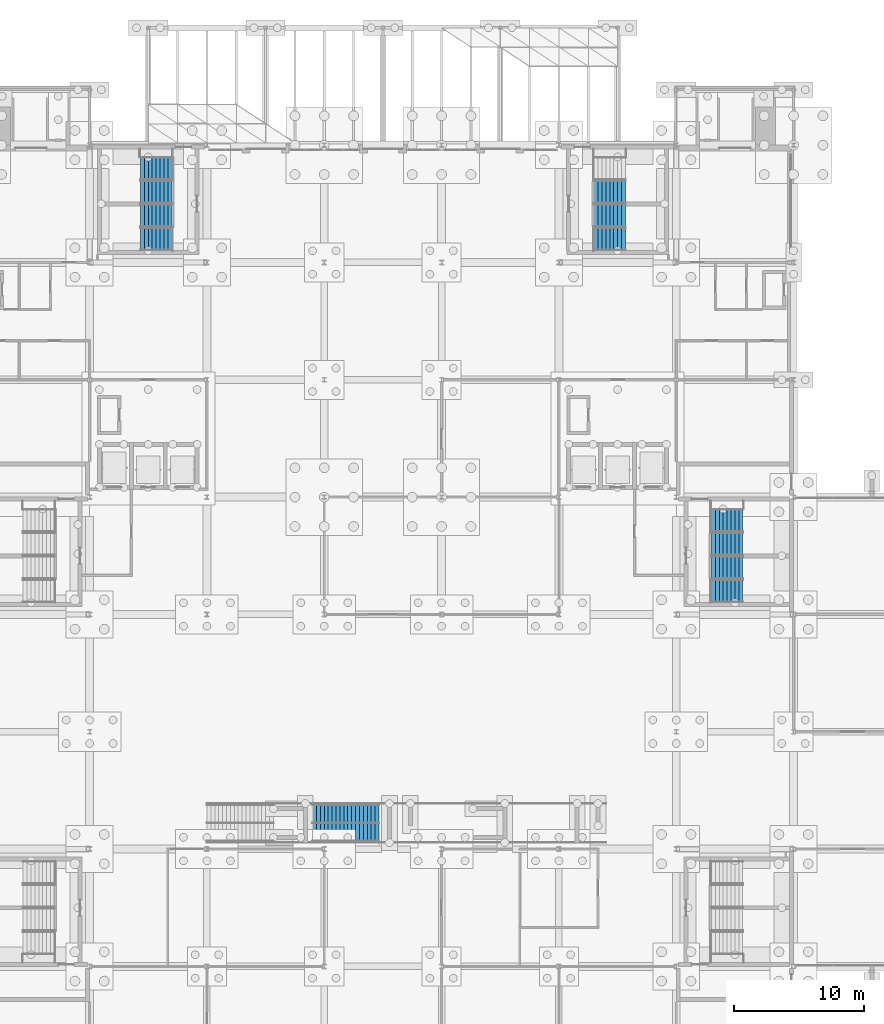
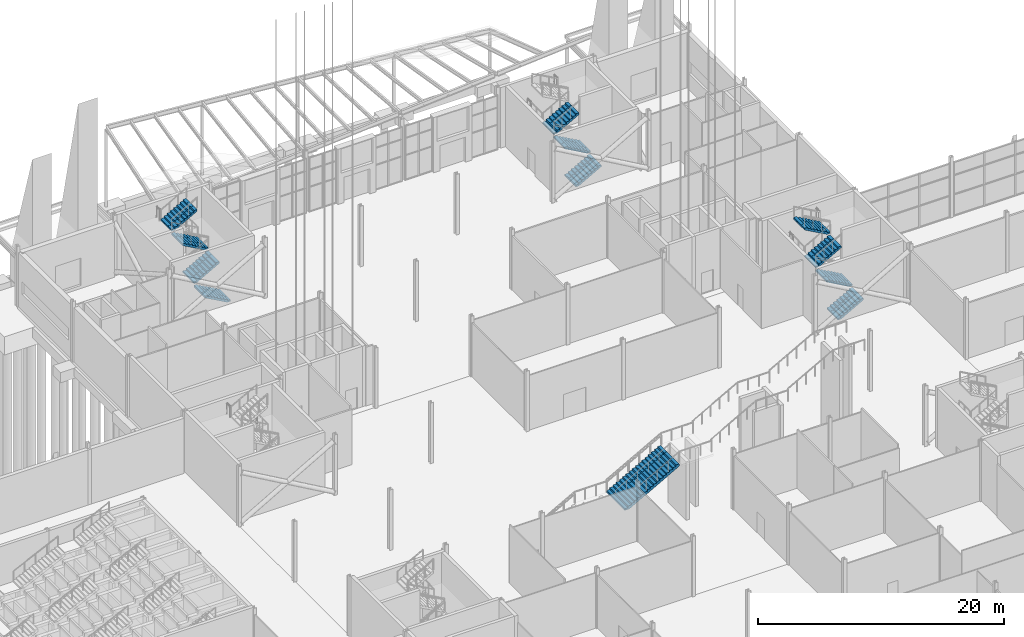
# One storey, part 118 of 139: 12 stair flights, 4 elements without a shape of their own.
"""IFC4 building model written with IfcOpenShell, lengths in metres."""

from ifc_helpers import new_model, si_unit, direction, frame, origin, place, context, subcontext, project, spatial, polyline, outline, extrude, material, type_object, element, aggregate, save


model = new_model("IFC4")

# Units and contexts
model_context = context("Model", 3, precision=1e-05, world=origin(), true_north=direction((0.0, 1.0)))
body_context = subcontext(model_context, "Body", "Model", "MODEL_VIEW")
ifc_project = project(units=[si_unit("LENGTHUNIT", "METRE"), si_unit("AREAUNIT", "SQUARE_METRE"), si_unit("VOLUMEUNIT", "CUBIC_METRE"), si_unit("PLANEANGLEUNIT", "RADIAN"), si_unit("MASSUNIT", "GRAM", prefix="KILO")], contexts=[model_context])

# Site, building, storey
site_placement = place(None, origin())
site = spatial("IfcSite", under=ifc_project, at=site_placement, CompositionType="ELEMENT")
building_placement = place(site_placement, origin())
building = spatial("IfcBuilding", under=site, at=building_placement, Name="Shorebreak Coast Museum", CompositionType="ELEMENT")
storey_placement = place(building_placement, origin())
storey = spatial("IfcBuildingStorey", under=building, at=storey_placement, Name="L00", CompositionType="ELEMENT", Elevation=0.0)

# Stair, stair flight
ifc_material_1 = material(Name="Concrete N40 (40 MPa)", Category="concrete")
stair_type_1 = type_object("IfcStairType", Name="Feature stair run 6 m", PredefinedType="TWO_STRAIGHT_RUN_STAIR", material=ifc_material_1)
stair_1_placement = place(storey_placement, origin())
stair_1 = element("IfcStair", 1, at=stair_1_placement, inside=storey, type_object=stair_type_1, Name="Feature stair FS-L00", PredefinedType="TWO_STRAIGHT_RUN_STAIR")
ifc_material_2 = material(Name="Concrete N40 (40 MPa)", Category="concrete")
stair_flight_type_1 = type_object("IfcStairFlightType", Name="Feature stair flight 18 risers", PredefinedType="STRAIGHT", material=ifc_material_2)
stair_flight_1_placement = place(storey_placement, frame((80.10009765625, 65.0, 3.0), z_axis=(0.0, 0.0, 1.0), x_axis=(1.0, 0.0, 0.0)))
stair_flight_1 = element("IfcStairFlight", 2, at=stair_flight_1_placement, type_object=stair_flight_type_1, Name="FS-L00 flight 2", NumberOfRisers=18, NumberOfTreads=17, PredefinedType="STRAIGHT", RiserHeight=0.166666667, TreadLength=0.3, context=body_context, shape_type="SweptSolid", body=[
    extrude(outline(polyline([(0.0, 0.0), (0.0, 0.166748046875), (0.300048828125, 0.166748046875), (0.300048828125, 0.333251953125), (0.60009765625, 0.333251953125), (0.60009765625, 0.5), (0.89990234375, 0.5), (0.89990234375, 0.666748046875), (1.199951171875, 0.666748046875), (1.199951171875, 0.833251953125), (1.5, 0.833251953125), (1.5, 1.0), (1.800048828125, 1.0), (1.800048828125, 1.166748046875), (2.10009765625, 1.166748046875), (2.10009765625, 1.333251953125), (2.39990234375, 1.333251953125), (2.39990234375, 1.5), (2.699951171875, 1.5), (2.699951171875, 1.666748046875), (3.0, 1.666748046875), (3.0, 1.833251953125), (3.300048828125, 1.833251953125), (3.300048828125, 2.0), (3.60009765625, 2.0), (3.60009765625, 2.166748046875), (3.89990234375, 2.166748046875), (3.89990234375, 2.333251953125), (4.199951171875, 2.333251953125), (4.199951171875, 2.5), (4.5, 2.5), (4.5, 2.666748046875), (4.800048828125, 2.666748046875), (4.800048828125, 2.833251953125), (5.10009765625, 2.833251953125), (5.10009765625, 3.0), (5.10009765625, 2.6044921875), (0.41162109375, 0.0), (0.0, 0.0)])), frame((0.0, 1.5, 0.0), z_axis=(0.0, -1.0, 0.0), x_axis=(1.0, 0.0, 0.0)), (0.0, 0.0, 1.0), 0.993408203125),
    extrude(outline(polyline([(0.0, 0.0), (0.0, 0.166748046875), (0.300048828125, 0.166748046875), (0.300048828125, 0.333251953125), (0.60009765625, 0.333251953125), (0.60009765625, 0.5), (0.89990234375, 0.5), (0.89990234375, 0.666748046875), (1.199951171875, 0.666748046875), (1.199951171875, 0.833251953125), (1.5, 0.833251953125), (1.5, 1.0), (1.800048828125, 1.0), (1.800048828125, 1.166748046875), (2.10009765625, 1.166748046875), (2.10009765625, 1.333251953125), (2.39990234375, 1.333251953125), (2.39990234375, 1.5), (2.699951171875, 1.5), (2.699951171875, 1.666748046875), (3.0, 1.666748046875), (3.0, 1.833251953125), (3.300048828125, 1.833251953125), (3.300048828125, 2.0), (3.60009765625, 2.0), (3.60009765625, 2.166748046875), (3.89990234375, 2.166748046875), (3.89990234375, 2.333251953125), (4.199951171875, 2.333251953125), (4.199951171875, 2.5), (4.5, 2.5), (4.5, 2.666748046875), (4.800048828125, 2.666748046875), (4.800048828125, 2.833251953125), (5.10009765625, 2.833251953125), (5.10009765625, 3.0), (5.10009765625, 2.6044921875), (0.41162109375, 0.0), (0.0, 0.0)])), frame((0.0, 0.49658203125, 0.0), z_axis=(0.0, -1.0, 0.0), x_axis=(1.0, 0.0, 0.0)), (0.0, 0.0, 1.0), 0.993408203125),
    extrude(outline(polyline([(0.0, 0.0), (0.0, 0.166748046875), (0.300048828125, 0.166748046875), (0.300048828125, 0.333251953125), (0.60009765625, 0.333251953125), (0.60009765625, 0.5), (0.89990234375, 0.5), (0.89990234375, 0.666748046875), (1.199951171875, 0.666748046875), (1.199951171875, 0.833251953125), (1.5, 0.833251953125), (1.5, 1.0), (1.800048828125, 1.0), (1.800048828125, 1.166748046875), (2.10009765625, 1.166748046875), (2.10009765625, 1.333251953125), (2.39990234375, 1.333251953125), (2.39990234375, 1.5), (2.699951171875, 1.5), (2.699951171875, 1.666748046875), (3.0, 1.666748046875), (3.0, 1.833251953125), (3.300048828125, 1.833251953125), (3.300048828125, 2.0), (3.60009765625, 2.0), (3.60009765625, 2.166748046875), (3.89990234375, 2.166748046875), (3.89990234375, 2.333251953125), (4.199951171875, 2.333251953125), (4.199951171875, 2.5), (4.5, 2.5), (4.5, 2.666748046875), (4.800048828125, 2.666748046875), (4.800048828125, 2.833251953125), (5.10009765625, 2.833251953125), (5.10009765625, 3.0), (5.10009765625, 2.6044921875), (0.41162109375, 0.0), (0.0, 0.0)])), frame((0.0, -0.506591796875, 0.0), z_axis=(0.0, -1.0, 0.0), x_axis=(1.0, 0.0, 0.0)), (0.0, 0.0, 1.0), 0.993408203125),
])
aggregate(stair_1, [stair_flight_1])

# Stair, stair flights
ifc_material_3 = material(Name="Concrete N40 (40 MPa)", Category="concrete")
stair_type_2 = type_object("IfcStairType", Name="Stair run 6 m", PredefinedType="DOUBLE_RETURN_STAIR", material=ifc_material_3)
stair_2_placement = place(storey_placement, origin())
stair_2 = element("IfcStair", 3, at=stair_2_placement, inside=storey, type_object=stair_type_2, Name="Exit stair ST04-L00", PredefinedType="DOUBLE_RETURN_STAIR")
ifc_material_4 = material(Name="Concrete N40 (40 MPa)", Category="concrete")
stair_flight_type_2 = type_object("IfcStairFlightType", Name="Stair flight 9 risers 166.67", PredefinedType="STRAIGHT", material=ifc_material_4)
stair_flight_2_placement = place(storey_placement, frame((110.699951171875, 82.800048828125, 0.0), z_axis=(0.0, 0.0, 1.0), x_axis=(1.0, 0.0, 0.0)))
stair_flight_2 = element("IfcStairFlight", 4, at=stair_flight_2_placement, type_object=stair_flight_type_2, Name="ST04-L00 flight 1", NumberOfRisers=9, NumberOfTreads=8, PredefinedType="STRAIGHT", RiserHeight=0.166666667, TreadLength=0.3, context=body_context, shape_type="SweptSolid", body=[
    extrude(outline(polyline([(0.0, 0.0), (0.0, 0.166748046875), (0.300048828125, 0.166748046875), (0.300048828125, 0.333251953125), (0.60009765625, 0.333251953125), (0.60009765625, 0.5), (0.89990234375, 0.5), (0.89990234375, 0.666748046875), (1.199951171875, 0.666748046875), (1.199951171875, 0.833251953125), (1.5, 0.833251953125), (1.5, 1.0), (1.800048828125, 1.0), (1.800048828125, 1.166748046875), (2.10009765625, 1.166748046875), (2.10009765625, 1.333251953125), (2.39990234375, 1.333251953125), (2.39990234375, 1.5), (2.39990234375, 1.161865234375), (0.30859375, 0.0), (0.0, 0.0)])), frame((0.0, 0.89990234375, 0.0), z_axis=(0.0, -1.0, 0.0), x_axis=(1.0, 0.0, 0.0)), (0.0, 0.0, 1.0), 0.59326171875),
    extrude(outline(polyline([(0.0, 0.0), (0.0, 0.166748046875), (0.300048828125, 0.166748046875), (0.300048828125, 0.333251953125), (0.60009765625, 0.333251953125), (0.60009765625, 0.5), (0.89990234375, 0.5), (0.89990234375, 0.666748046875), (1.199951171875, 0.666748046875), (1.199951171875, 0.833251953125), (1.5, 0.833251953125), (1.5, 1.0), (1.800048828125, 1.0), (1.800048828125, 1.166748046875), (2.10009765625, 1.166748046875), (2.10009765625, 1.333251953125), (2.39990234375, 1.333251953125), (2.39990234375, 1.5), (2.39990234375, 1.161865234375), (0.30859375, 0.0), (0.0, 0.0)])), frame((0.0, 0.296630859375, 0.0), z_axis=(0.0, -1.0, 0.0), x_axis=(1.0, 0.0, 0.0)), (0.0, 0.0, 1.0), 0.59326171875),
    extrude(outline(polyline([(0.0, 0.0), (0.0, 0.166748046875), (0.300048828125, 0.166748046875), (0.300048828125, 0.333251953125), (0.60009765625, 0.333251953125), (0.60009765625, 0.5), (0.89990234375, 0.5), (0.89990234375, 0.666748046875), (1.199951171875, 0.666748046875), (1.199951171875, 0.833251953125), (1.5, 0.833251953125), (1.5, 1.0), (1.800048828125, 1.0), (1.800048828125, 1.166748046875), (2.10009765625, 1.166748046875), (2.10009765625, 1.333251953125), (2.39990234375, 1.333251953125), (2.39990234375, 1.5), (2.39990234375, 1.161865234375), (0.30859375, 0.0), (0.0, 0.0)])), frame((0.0, -0.306640625, 0.0), z_axis=(0.0, -1.0, 0.0), x_axis=(1.0, 0.0, 0.0)), (0.0, 0.0, 1.0), 0.59326171875),
])
stair_flight_3_placement = place(storey_placement, frame((113.10009765625, 84.60009765625, 1.5), z_axis=(0.0, 0.0, 1.0), x_axis=(-1.0, 0.0, 0.0)))
stair_flight_3 = element("IfcStairFlight", 5, at=stair_flight_3_placement, type_object=stair_flight_type_2, Name="ST04-L00 flight 2", NumberOfRisers=9, NumberOfTreads=8, PredefinedType="STRAIGHT", RiserHeight=0.166666667, TreadLength=0.3, context=body_context, shape_type="SweptSolid", body=[
    extrude(outline(polyline([(0.0, 0.0), (0.0, 0.166748046875), (0.300048828125, 0.166748046875), (0.300048828125, 0.333251953125), (0.60009765625, 0.333251953125), (0.60009765625, 0.5), (0.89990234375, 0.5), (0.89990234375, 0.666748046875), (1.199951171875, 0.666748046875), (1.199951171875, 0.833251953125), (1.5, 0.833251953125), (1.5, 1.0), (1.800048828125, 1.0), (1.800048828125, 1.166748046875), (2.10009765625, 1.166748046875), (2.10009765625, 1.333251953125), (2.39990234375, 1.333251953125), (2.39990234375, 1.5), (2.39990234375, 1.161865234375), (0.30859375, 0.0), (0.0, 0.0)])), frame((0.0, 0.89990234375, 0.0), z_axis=(0.0, -1.0, 0.0), x_axis=(1.0, 0.0, 0.0)), (0.0, 0.0, 1.0), 0.59326171875),
    extrude(outline(polyline([(0.0, 0.0), (0.0, 0.166748046875), (0.300048828125, 0.166748046875), (0.300048828125, 0.333251953125), (0.60009765625, 0.333251953125), (0.60009765625, 0.5), (0.89990234375, 0.5), (0.89990234375, 0.666748046875), (1.199951171875, 0.666748046875), (1.199951171875, 0.833251953125), (1.5, 0.833251953125), (1.5, 1.0), (1.800048828125, 1.0), (1.800048828125, 1.166748046875), (2.10009765625, 1.166748046875), (2.10009765625, 1.333251953125), (2.39990234375, 1.333251953125), (2.39990234375, 1.5), (2.39990234375, 1.161865234375), (0.30859375, 0.0), (0.0, 0.0)])), frame((0.0, 0.296630859375, 0.0), z_axis=(0.0, -1.0, 0.0), x_axis=(1.0, 0.0, 0.0)), (0.0, 0.0, 1.0), 0.59326171875),
    extrude(outline(polyline([(0.0, 0.0), (0.0, 0.166748046875), (0.300048828125, 0.166748046875), (0.300048828125, 0.333251953125), (0.60009765625, 0.333251953125), (0.60009765625, 0.5), (0.89990234375, 0.5), (0.89990234375, 0.666748046875), (1.199951171875, 0.666748046875), (1.199951171875, 0.833251953125), (1.5, 0.833251953125), (1.5, 1.0), (1.800048828125, 1.0), (1.800048828125, 1.166748046875), (2.10009765625, 1.166748046875), (2.10009765625, 1.333251953125), (2.39990234375, 1.333251953125), (2.39990234375, 1.5), (2.39990234375, 1.161865234375), (0.30859375, 0.0), (0.0, 0.0)])), frame((0.0, -0.306640625, 0.0), z_axis=(0.0, -1.0, 0.0), x_axis=(1.0, 0.0, 0.0)), (0.0, 0.0, 1.0), 0.59326171875),
])
stair_flight_4_placement = place(storey_placement, frame((110.699951171875, 86.39990234375, 3.0), z_axis=(0.0, 0.0, 1.0), x_axis=(1.0, 0.0, 0.0)))
stair_flight_4 = element("IfcStairFlight", 6, at=stair_flight_4_placement, type_object=stair_flight_type_2, Name="ST04-L00 flight 3", NumberOfRisers=9, NumberOfTreads=8, PredefinedType="STRAIGHT", RiserHeight=0.166666667, TreadLength=0.3, context=body_context, shape_type="SweptSolid", body=[
    extrude(outline(polyline([(0.0, 0.0), (0.0, 0.166748046875), (0.300048828125, 0.166748046875), (0.300048828125, 0.333251953125), (0.60009765625, 0.333251953125), (0.60009765625, 0.5), (0.89990234375, 0.5), (0.89990234375, 0.666748046875), (1.199951171875, 0.666748046875), (1.199951171875, 0.833251953125), (1.5, 0.833251953125), (1.5, 1.0), (1.800048828125, 1.0), (1.800048828125, 1.166748046875), (2.10009765625, 1.166748046875), (2.10009765625, 1.333251953125), (2.39990234375, 1.333251953125), (2.39990234375, 1.5), (2.39990234375, 1.161865234375), (0.30859375, 0.0), (0.0, 0.0)])), frame((0.0, 0.89990234375, 0.0), z_axis=(0.0, -1.0, 0.0), x_axis=(1.0, 0.0, 0.0)), (0.0, 0.0, 1.0), 0.59326171875),
    extrude(outline(polyline([(0.0, 0.0), (0.0, 0.166748046875), (0.300048828125, 0.166748046875), (0.300048828125, 0.333251953125), (0.60009765625, 0.333251953125), (0.60009765625, 0.5), (0.89990234375, 0.5), (0.89990234375, 0.666748046875), (1.199951171875, 0.666748046875), (1.199951171875, 0.833251953125), (1.5, 0.833251953125), (1.5, 1.0), (1.800048828125, 1.0), (1.800048828125, 1.166748046875), (2.10009765625, 1.166748046875), (2.10009765625, 1.333251953125), (2.39990234375, 1.333251953125), (2.39990234375, 1.5), (2.39990234375, 1.161865234375), (0.30859375, 0.0), (0.0, 0.0)])), frame((0.0, 0.296630859375, 0.0), z_axis=(0.0, -1.0, 0.0), x_axis=(1.0, 0.0, 0.0)), (0.0, 0.0, 1.0), 0.59326171875),
    extrude(outline(polyline([(0.0, 0.0), (0.0, 0.166748046875), (0.300048828125, 0.166748046875), (0.300048828125, 0.333251953125), (0.60009765625, 0.333251953125), (0.60009765625, 0.5), (0.89990234375, 0.5), (0.89990234375, 0.666748046875), (1.199951171875, 0.666748046875), (1.199951171875, 0.833251953125), (1.5, 0.833251953125), (1.5, 1.0), (1.800048828125, 1.0), (1.800048828125, 1.166748046875), (2.10009765625, 1.166748046875), (2.10009765625, 1.333251953125), (2.39990234375, 1.333251953125), (2.39990234375, 1.5), (2.39990234375, 1.161865234375), (0.30859375, 0.0), (0.0, 0.0)])), frame((0.0, -0.306640625, 0.0), z_axis=(0.0, -1.0, 0.0), x_axis=(1.0, 0.0, 0.0)), (0.0, 0.0, 1.0), 0.59326171875),
])
stair_flight_5_placement = place(storey_placement, frame((113.10009765625, 88.199951171875, 4.5), z_axis=(0.0, 0.0, 1.0), x_axis=(-1.0, 0.0, 0.0)))
stair_flight_5 = element("IfcStairFlight", 7, at=stair_flight_5_placement, type_object=stair_flight_type_2, Name="ST04-L00 flight 4", NumberOfRisers=9, NumberOfTreads=8, PredefinedType="STRAIGHT", RiserHeight=0.166666667, TreadLength=0.3, context=body_context, shape_type="SweptSolid", body=[
    extrude(outline(polyline([(0.0, 0.0), (0.0, 0.166748046875), (0.300048828125, 0.166748046875), (0.300048828125, 0.333251953125), (0.60009765625, 0.333251953125), (0.60009765625, 0.5), (0.89990234375, 0.5), (0.89990234375, 0.666748046875), (1.199951171875, 0.666748046875), (1.199951171875, 0.833251953125), (1.5, 0.833251953125), (1.5, 1.0), (1.800048828125, 1.0), (1.800048828125, 1.166748046875), (2.10009765625, 1.166748046875), (2.10009765625, 1.333251953125), (2.39990234375, 1.333251953125), (2.39990234375, 1.5), (2.39990234375, 1.161865234375), (0.30859375, 0.0), (0.0, 0.0)])), frame((0.0, 0.89990234375, 0.0), z_axis=(0.0, -1.0, 0.0), x_axis=(1.0, 0.0, 0.0)), (0.0, 0.0, 1.0), 0.59326171875),
    extrude(outline(polyline([(0.0, 0.0), (0.0, 0.166748046875), (0.300048828125, 0.166748046875), (0.300048828125, 0.333251953125), (0.60009765625, 0.333251953125), (0.60009765625, 0.5), (0.89990234375, 0.5), (0.89990234375, 0.666748046875), (1.199951171875, 0.666748046875), (1.199951171875, 0.833251953125), (1.5, 0.833251953125), (1.5, 1.0), (1.800048828125, 1.0), (1.800048828125, 1.166748046875), (2.10009765625, 1.166748046875), (2.10009765625, 1.333251953125), (2.39990234375, 1.333251953125), (2.39990234375, 1.5), (2.39990234375, 1.161865234375), (0.30859375, 0.0), (0.0, 0.0)])), frame((0.0, 0.296630859375, 0.0), z_axis=(0.0, -1.0, 0.0), x_axis=(1.0, 0.0, 0.0)), (0.0, 0.0, 1.0), 0.59326171875),
    extrude(outline(polyline([(0.0, 0.0), (0.0, 0.166748046875), (0.300048828125, 0.166748046875), (0.300048828125, 0.333251953125), (0.60009765625, 0.333251953125), (0.60009765625, 0.5), (0.89990234375, 0.5), (0.89990234375, 0.666748046875), (1.199951171875, 0.666748046875), (1.199951171875, 0.833251953125), (1.5, 0.833251953125), (1.5, 1.0), (1.800048828125, 1.0), (1.800048828125, 1.166748046875), (2.10009765625, 1.166748046875), (2.10009765625, 1.333251953125), (2.39990234375, 1.333251953125), (2.39990234375, 1.5), (2.39990234375, 1.161865234375), (0.30859375, 0.0), (0.0, 0.0)])), frame((0.0, -0.306640625, 0.0), z_axis=(0.0, -1.0, 0.0), x_axis=(1.0, 0.0, 0.0)), (0.0, 0.0, 1.0), 0.59326171875),
])
aggregate(stair_2, [stair_flight_2, stair_flight_3, stair_flight_4, stair_flight_5])

stair_3_placement = place(storey_placement, origin())
stair_3 = element("IfcStair", 8, at=stair_3_placement, inside=storey, type_object=stair_type_2, Name="Exit stair ST09-L00", PredefinedType="DOUBLE_RETURN_STAIR")
stair_flight_6_placement = place(storey_placement, frame((69.300048828125, 109.800048828125, 0.0), z_axis=(0.0, 0.0, 1.0), x_axis=(-1.0, 0.0, 0.0)))
stair_flight_6 = element("IfcStairFlight", 9, at=stair_flight_6_placement, type_object=stair_flight_type_2, Name="ST09-L00 flight 1", NumberOfRisers=9, NumberOfTreads=8, PredefinedType="STRAIGHT", RiserHeight=0.166666667, TreadLength=0.3, context=body_context, shape_type="SweptSolid", body=[
    extrude(outline(polyline([(0.0, 0.0), (0.0, 0.166748046875), (0.300048828125, 0.166748046875), (0.300048828125, 0.333251953125), (0.60009765625, 0.333251953125), (0.60009765625, 0.5), (0.89990234375, 0.5), (0.89990234375, 0.666748046875), (1.199951171875, 0.666748046875), (1.199951171875, 0.833251953125), (1.5, 0.833251953125), (1.5, 1.0), (1.800048828125, 1.0), (1.800048828125, 1.166748046875), (2.10009765625, 1.166748046875), (2.10009765625, 1.333251953125), (2.39990234375, 1.333251953125), (2.39990234375, 1.5), (2.39990234375, 1.161865234375), (0.30859375, 0.0), (0.0, 0.0)])), frame((0.0, 0.89990234375, 0.0), z_axis=(0.0, -1.0, 0.0), x_axis=(1.0, 0.0, 0.0)), (0.0, 0.0, 1.0), 0.59326171875),
    extrude(outline(polyline([(0.0, 0.0), (0.0, 0.166748046875), (0.300048828125, 0.166748046875), (0.300048828125, 0.333251953125), (0.60009765625, 0.333251953125), (0.60009765625, 0.5), (0.89990234375, 0.5), (0.89990234375, 0.666748046875), (1.199951171875, 0.666748046875), (1.199951171875, 0.833251953125), (1.5, 0.833251953125), (1.5, 1.0), (1.800048828125, 1.0), (1.800048828125, 1.166748046875), (2.10009765625, 1.166748046875), (2.10009765625, 1.333251953125), (2.39990234375, 1.333251953125), (2.39990234375, 1.5), (2.39990234375, 1.161865234375), (0.30859375, 0.0), (0.0, 0.0)])), frame((0.0, 0.296630859375, 0.0), z_axis=(0.0, -1.0, 0.0), x_axis=(1.0, 0.0, 0.0)), (0.0, 0.0, 1.0), 0.59326171875),
    extrude(outline(polyline([(0.0, 0.0), (0.0, 0.166748046875), (0.300048828125, 0.166748046875), (0.300048828125, 0.333251953125), (0.60009765625, 0.333251953125), (0.60009765625, 0.5), (0.89990234375, 0.5), (0.89990234375, 0.666748046875), (1.199951171875, 0.666748046875), (1.199951171875, 0.833251953125), (1.5, 0.833251953125), (1.5, 1.0), (1.800048828125, 1.0), (1.800048828125, 1.166748046875), (2.10009765625, 1.166748046875), (2.10009765625, 1.333251953125), (2.39990234375, 1.333251953125), (2.39990234375, 1.5), (2.39990234375, 1.161865234375), (0.30859375, 0.0), (0.0, 0.0)])), frame((0.0, -0.306640625, 0.0), z_axis=(0.0, -1.0, 0.0), x_axis=(1.0, 0.0, 0.0)), (0.0, 0.0, 1.0), 0.59326171875),
])
stair_flight_7_placement = place(storey_placement, frame((66.89990234375, 111.60009765625, 1.5), z_axis=(0.0, 0.0, 1.0), x_axis=(1.0, 0.0, 0.0)))
stair_flight_7 = element("IfcStairFlight", 10, at=stair_flight_7_placement, type_object=stair_flight_type_2, Name="ST09-L00 flight 2", NumberOfRisers=9, NumberOfTreads=8, PredefinedType="STRAIGHT", RiserHeight=0.166666667, TreadLength=0.3, context=body_context, shape_type="SweptSolid", body=[
    extrude(outline(polyline([(0.0, 0.0), (0.0, 0.166748046875), (0.300048828125, 0.166748046875), (0.300048828125, 0.333251953125), (0.60009765625, 0.333251953125), (0.60009765625, 0.5), (0.89990234375, 0.5), (0.89990234375, 0.666748046875), (1.199951171875, 0.666748046875), (1.199951171875, 0.833251953125), (1.5, 0.833251953125), (1.5, 1.0), (1.800048828125, 1.0), (1.800048828125, 1.166748046875), (2.10009765625, 1.166748046875), (2.10009765625, 1.333251953125), (2.39990234375, 1.333251953125), (2.39990234375, 1.5), (2.39990234375, 1.161865234375), (0.30859375, 0.0), (0.0, 0.0)])), frame((0.0, 0.89990234375, 0.0), z_axis=(0.0, -1.0, 0.0), x_axis=(1.0, 0.0, 0.0)), (0.0, 0.0, 1.0), 0.59326171875),
    extrude(outline(polyline([(0.0, 0.0), (0.0, 0.166748046875), (0.300048828125, 0.166748046875), (0.300048828125, 0.333251953125), (0.60009765625, 0.333251953125), (0.60009765625, 0.5), (0.89990234375, 0.5), (0.89990234375, 0.666748046875), (1.199951171875, 0.666748046875), (1.199951171875, 0.833251953125), (1.5, 0.833251953125), (1.5, 1.0), (1.800048828125, 1.0), (1.800048828125, 1.166748046875), (2.10009765625, 1.166748046875), (2.10009765625, 1.333251953125), (2.39990234375, 1.333251953125), (2.39990234375, 1.5), (2.39990234375, 1.161865234375), (0.30859375, 0.0), (0.0, 0.0)])), frame((0.0, 0.296630859375, 0.0), z_axis=(0.0, -1.0, 0.0), x_axis=(1.0, 0.0, 0.0)), (0.0, 0.0, 1.0), 0.59326171875),
    extrude(outline(polyline([(0.0, 0.0), (0.0, 0.166748046875), (0.300048828125, 0.166748046875), (0.300048828125, 0.333251953125), (0.60009765625, 0.333251953125), (0.60009765625, 0.5), (0.89990234375, 0.5), (0.89990234375, 0.666748046875), (1.199951171875, 0.666748046875), (1.199951171875, 0.833251953125), (1.5, 0.833251953125), (1.5, 1.0), (1.800048828125, 1.0), (1.800048828125, 1.166748046875), (2.10009765625, 1.166748046875), (2.10009765625, 1.333251953125), (2.39990234375, 1.333251953125), (2.39990234375, 1.5), (2.39990234375, 1.161865234375), (0.30859375, 0.0), (0.0, 0.0)])), frame((0.0, -0.306640625, 0.0), z_axis=(0.0, -1.0, 0.0), x_axis=(1.0, 0.0, 0.0)), (0.0, 0.0, 1.0), 0.59326171875),
])
stair_flight_8_placement = place(storey_placement, frame((69.300048828125, 113.39990234375, 3.0), z_axis=(0.0, 0.0, 1.0), x_axis=(-1.0, 0.0, 0.0)))
stair_flight_8 = element("IfcStairFlight", 11, at=stair_flight_8_placement, type_object=stair_flight_type_2, Name="ST09-L00 flight 3", NumberOfRisers=9, NumberOfTreads=8, PredefinedType="STRAIGHT", RiserHeight=0.166666667, TreadLength=0.3, context=body_context, shape_type="SweptSolid", body=[
    extrude(outline(polyline([(0.0, 0.0), (0.0, 0.166748046875), (0.300048828125, 0.166748046875), (0.300048828125, 0.333251953125), (0.60009765625, 0.333251953125), (0.60009765625, 0.5), (0.89990234375, 0.5), (0.89990234375, 0.666748046875), (1.199951171875, 0.666748046875), (1.199951171875, 0.833251953125), (1.5, 0.833251953125), (1.5, 1.0), (1.800048828125, 1.0), (1.800048828125, 1.166748046875), (2.10009765625, 1.166748046875), (2.10009765625, 1.333251953125), (2.39990234375, 1.333251953125), (2.39990234375, 1.5), (2.39990234375, 1.161865234375), (0.30859375, 0.0), (0.0, 0.0)])), frame((0.0, 0.89990234375, 0.0), z_axis=(0.0, -1.0, 0.0), x_axis=(1.0, 0.0, 0.0)), (0.0, 0.0, 1.0), 0.59326171875),
    extrude(outline(polyline([(0.0, 0.0), (0.0, 0.166748046875), (0.300048828125, 0.166748046875), (0.300048828125, 0.333251953125), (0.60009765625, 0.333251953125), (0.60009765625, 0.5), (0.89990234375, 0.5), (0.89990234375, 0.666748046875), (1.199951171875, 0.666748046875), (1.199951171875, 0.833251953125), (1.5, 0.833251953125), (1.5, 1.0), (1.800048828125, 1.0), (1.800048828125, 1.166748046875), (2.10009765625, 1.166748046875), (2.10009765625, 1.333251953125), (2.39990234375, 1.333251953125), (2.39990234375, 1.5), (2.39990234375, 1.161865234375), (0.30859375, 0.0), (0.0, 0.0)])), frame((0.0, 0.296630859375, 0.0), z_axis=(0.0, -1.0, 0.0), x_axis=(1.0, 0.0, 0.0)), (0.0, 0.0, 1.0), 0.59326171875),
    extrude(outline(polyline([(0.0, 0.0), (0.0, 0.166748046875), (0.300048828125, 0.166748046875), (0.300048828125, 0.333251953125), (0.60009765625, 0.333251953125), (0.60009765625, 0.5), (0.89990234375, 0.5), (0.89990234375, 0.666748046875), (1.199951171875, 0.666748046875), (1.199951171875, 0.833251953125), (1.5, 0.833251953125), (1.5, 1.0), (1.800048828125, 1.0), (1.800048828125, 1.166748046875), (2.10009765625, 1.166748046875), (2.10009765625, 1.333251953125), (2.39990234375, 1.333251953125), (2.39990234375, 1.5), (2.39990234375, 1.161865234375), (0.30859375, 0.0), (0.0, 0.0)])), frame((0.0, -0.306640625, 0.0), z_axis=(0.0, -1.0, 0.0), x_axis=(1.0, 0.0, 0.0)), (0.0, 0.0, 1.0), 0.59326171875),
])
stair_flight_9_placement = place(storey_placement, frame((66.89990234375, 115.199951171875, 4.5), z_axis=(0.0, 0.0, 1.0), x_axis=(1.0, 0.0, 0.0)))
stair_flight_9 = element("IfcStairFlight", 12, at=stair_flight_9_placement, type_object=stair_flight_type_2, Name="ST09-L00 flight 4", NumberOfRisers=9, NumberOfTreads=8, PredefinedType="STRAIGHT", RiserHeight=0.166666667, TreadLength=0.3, context=body_context, shape_type="SweptSolid", body=[
    extrude(outline(polyline([(0.0, 0.0), (0.0, 0.166748046875), (0.300048828125, 0.166748046875), (0.300048828125, 0.333251953125), (0.60009765625, 0.333251953125), (0.60009765625, 0.5), (0.89990234375, 0.5), (0.89990234375, 0.666748046875), (1.199951171875, 0.666748046875), (1.199951171875, 0.833251953125), (1.5, 0.833251953125), (1.5, 1.0), (1.800048828125, 1.0), (1.800048828125, 1.166748046875), (2.10009765625, 1.166748046875), (2.10009765625, 1.333251953125), (2.39990234375, 1.333251953125), (2.39990234375, 1.5), (2.39990234375, 1.161865234375), (0.30859375, 0.0), (0.0, 0.0)])), frame((0.0, 0.89990234375, 0.0), z_axis=(0.0, -1.0, 0.0), x_axis=(1.0, 0.0, 0.0)), (0.0, 0.0, 1.0), 0.59326171875),
    extrude(outline(polyline([(0.0, 0.0), (0.0, 0.166748046875), (0.300048828125, 0.166748046875), (0.300048828125, 0.333251953125), (0.60009765625, 0.333251953125), (0.60009765625, 0.5), (0.89990234375, 0.5), (0.89990234375, 0.666748046875), (1.199951171875, 0.666748046875), (1.199951171875, 0.833251953125), (1.5, 0.833251953125), (1.5, 1.0), (1.800048828125, 1.0), (1.800048828125, 1.166748046875), (2.10009765625, 1.166748046875), (2.10009765625, 1.333251953125), (2.39990234375, 1.333251953125), (2.39990234375, 1.5), (2.39990234375, 1.161865234375), (0.30859375, 0.0), (0.0, 0.0)])), frame((0.0, 0.296630859375, 0.0), z_axis=(0.0, -1.0, 0.0), x_axis=(1.0, 0.0, 0.0)), (0.0, 0.0, 1.0), 0.59326171875),
    extrude(outline(polyline([(0.0, 0.0), (0.0, 0.166748046875), (0.300048828125, 0.166748046875), (0.300048828125, 0.333251953125), (0.60009765625, 0.333251953125), (0.60009765625, 0.5), (0.89990234375, 0.5), (0.89990234375, 0.666748046875), (1.199951171875, 0.666748046875), (1.199951171875, 0.833251953125), (1.5, 0.833251953125), (1.5, 1.0), (1.800048828125, 1.0), (1.800048828125, 1.166748046875), (2.10009765625, 1.166748046875), (2.10009765625, 1.333251953125), (2.39990234375, 1.333251953125), (2.39990234375, 1.5), (2.39990234375, 1.161865234375), (0.30859375, 0.0), (0.0, 0.0)])), frame((0.0, -0.306640625, 0.0), z_axis=(0.0, -1.0, 0.0), x_axis=(1.0, 0.0, 0.0)), (0.0, 0.0, 1.0), 0.59326171875),
])
aggregate(stair_3, [stair_flight_6, stair_flight_7, stair_flight_8, stair_flight_9])

stair_4_placement = place(storey_placement, origin())
stair_4 = element("IfcStair", 13, at=stair_4_placement, inside=storey, type_object=stair_type_2, Name="Exit stair ST10-L00", PredefinedType="DOUBLE_RETURN_STAIR")
stair_flight_10_placement = place(storey_placement, frame((101.699951171875, 109.800048828125, 0.0), z_axis=(0.0, 0.0, 1.0), x_axis=(1.0, 0.0, 0.0)))
stair_flight_10 = element("IfcStairFlight", 14, at=stair_flight_10_placement, type_object=stair_flight_type_2, Name="ST10-L00 flight 1", NumberOfRisers=9, NumberOfTreads=8, PredefinedType="STRAIGHT", RiserHeight=0.166666667, TreadLength=0.3, context=body_context, shape_type="SweptSolid", body=[
    extrude(outline(polyline([(0.0, 0.0), (0.0, 0.166748046875), (0.300048828125, 0.166748046875), (0.300048828125, 0.333251953125), (0.60009765625, 0.333251953125), (0.60009765625, 0.5), (0.89990234375, 0.5), (0.89990234375, 0.666748046875), (1.199951171875, 0.666748046875), (1.199951171875, 0.833251953125), (1.5, 0.833251953125), (1.5, 1.0), (1.800048828125, 1.0), (1.800048828125, 1.166748046875), (2.10009765625, 1.166748046875), (2.10009765625, 1.333251953125), (2.39990234375, 1.333251953125), (2.39990234375, 1.5), (2.39990234375, 1.161865234375), (0.30859375, 0.0), (0.0, 0.0)])), frame((0.0, 0.89990234375, 0.0), z_axis=(0.0, -1.0, 0.0), x_axis=(1.0, 0.0, 0.0)), (0.0, 0.0, 1.0), 0.59326171875),
    extrude(outline(polyline([(0.0, 0.0), (0.0, 0.166748046875), (0.300048828125, 0.166748046875), (0.300048828125, 0.333251953125), (0.60009765625, 0.333251953125), (0.60009765625, 0.5), (0.89990234375, 0.5), (0.89990234375, 0.666748046875), (1.199951171875, 0.666748046875), (1.199951171875, 0.833251953125), (1.5, 0.833251953125), (1.5, 1.0), (1.800048828125, 1.0), (1.800048828125, 1.166748046875), (2.10009765625, 1.166748046875), (2.10009765625, 1.333251953125), (2.39990234375, 1.333251953125), (2.39990234375, 1.5), (2.39990234375, 1.161865234375), (0.30859375, 0.0), (0.0, 0.0)])), frame((0.0, 0.296630859375, 0.0), z_axis=(0.0, -1.0, 0.0), x_axis=(1.0, 0.0, 0.0)), (0.0, 0.0, 1.0), 0.59326171875),
    extrude(outline(polyline([(0.0, 0.0), (0.0, 0.166748046875), (0.300048828125, 0.166748046875), (0.300048828125, 0.333251953125), (0.60009765625, 0.333251953125), (0.60009765625, 0.5), (0.89990234375, 0.5), (0.89990234375, 0.666748046875), (1.199951171875, 0.666748046875), (1.199951171875, 0.833251953125), (1.5, 0.833251953125), (1.5, 1.0), (1.800048828125, 1.0), (1.800048828125, 1.166748046875), (2.10009765625, 1.166748046875), (2.10009765625, 1.333251953125), (2.39990234375, 1.333251953125), (2.39990234375, 1.5), (2.39990234375, 1.161865234375), (0.30859375, 0.0), (0.0, 0.0)])), frame((0.0, -0.306640625, 0.0), z_axis=(0.0, -1.0, 0.0), x_axis=(1.0, 0.0, 0.0)), (0.0, 0.0, 1.0), 0.59326171875),
])
stair_flight_11_placement = place(storey_placement, frame((104.10009765625, 111.60009765625, 1.5), z_axis=(0.0, 0.0, 1.0), x_axis=(-1.0, 0.0, 0.0)))
stair_flight_11 = element("IfcStairFlight", 15, at=stair_flight_11_placement, type_object=stair_flight_type_2, Name="ST10-L00 flight 2", NumberOfRisers=9, NumberOfTreads=8, PredefinedType="STRAIGHT", RiserHeight=0.166666667, TreadLength=0.3, context=body_context, shape_type="SweptSolid", body=[
    extrude(outline(polyline([(0.0, 0.0), (0.0, 0.166748046875), (0.300048828125, 0.166748046875), (0.300048828125, 0.333251953125), (0.60009765625, 0.333251953125), (0.60009765625, 0.5), (0.89990234375, 0.5), (0.89990234375, 0.666748046875), (1.199951171875, 0.666748046875), (1.199951171875, 0.833251953125), (1.5, 0.833251953125), (1.5, 1.0), (1.800048828125, 1.0), (1.800048828125, 1.166748046875), (2.10009765625, 1.166748046875), (2.10009765625, 1.333251953125), (2.39990234375, 1.333251953125), (2.39990234375, 1.5), (2.39990234375, 1.161865234375), (0.30859375, 0.0), (0.0, 0.0)])), frame((0.0, 0.89990234375, 0.0), z_axis=(0.0, -1.0, 0.0), x_axis=(1.0, 0.0, 0.0)), (0.0, 0.0, 1.0), 0.59326171875),
    extrude(outline(polyline([(0.0, 0.0), (0.0, 0.166748046875), (0.300048828125, 0.166748046875), (0.300048828125, 0.333251953125), (0.60009765625, 0.333251953125), (0.60009765625, 0.5), (0.89990234375, 0.5), (0.89990234375, 0.666748046875), (1.199951171875, 0.666748046875), (1.199951171875, 0.833251953125), (1.5, 0.833251953125), (1.5, 1.0), (1.800048828125, 1.0), (1.800048828125, 1.166748046875), (2.10009765625, 1.166748046875), (2.10009765625, 1.333251953125), (2.39990234375, 1.333251953125), (2.39990234375, 1.5), (2.39990234375, 1.161865234375), (0.30859375, 0.0), (0.0, 0.0)])), frame((0.0, 0.296630859375, 0.0), z_axis=(0.0, -1.0, 0.0), x_axis=(1.0, 0.0, 0.0)), (0.0, 0.0, 1.0), 0.59326171875),
    extrude(outline(polyline([(0.0, 0.0), (0.0, 0.166748046875), (0.300048828125, 0.166748046875), (0.300048828125, 0.333251953125), (0.60009765625, 0.333251953125), (0.60009765625, 0.5), (0.89990234375, 0.5), (0.89990234375, 0.666748046875), (1.199951171875, 0.666748046875), (1.199951171875, 0.833251953125), (1.5, 0.833251953125), (1.5, 1.0), (1.800048828125, 1.0), (1.800048828125, 1.166748046875), (2.10009765625, 1.166748046875), (2.10009765625, 1.333251953125), (2.39990234375, 1.333251953125), (2.39990234375, 1.5), (2.39990234375, 1.161865234375), (0.30859375, 0.0), (0.0, 0.0)])), frame((0.0, -0.306640625, 0.0), z_axis=(0.0, -1.0, 0.0), x_axis=(1.0, 0.0, 0.0)), (0.0, 0.0, 1.0), 0.59326171875),
])
stair_flight_12_placement = place(storey_placement, frame((101.699951171875, 113.39990234375, 3.0), z_axis=(0.0, 0.0, 1.0), x_axis=(1.0, 0.0, 0.0)))
stair_flight_12 = element("IfcStairFlight", 16, at=stair_flight_12_placement, type_object=stair_flight_type_2, Name="ST10-L00 flight 3", NumberOfRisers=9, NumberOfTreads=8, PredefinedType="STRAIGHT", RiserHeight=0.166666667, TreadLength=0.3, context=body_context, shape_type="SweptSolid", body=[
    extrude(outline(polyline([(0.0, 0.0), (0.0, 0.166748046875), (0.300048828125, 0.166748046875), (0.300048828125, 0.333251953125), (0.60009765625, 0.333251953125), (0.60009765625, 0.5), (0.89990234375, 0.5), (0.89990234375, 0.666748046875), (1.199951171875, 0.666748046875), (1.199951171875, 0.833251953125), (1.5, 0.833251953125), (1.5, 1.0), (1.800048828125, 1.0), (1.800048828125, 1.166748046875), (2.10009765625, 1.166748046875), (2.10009765625, 1.333251953125), (2.39990234375, 1.333251953125), (2.39990234375, 1.5), (2.39990234375, 1.161865234375), (0.30859375, 0.0), (0.0, 0.0)])), frame((0.0, 0.89990234375, 0.0), z_axis=(0.0, -1.0, 0.0), x_axis=(1.0, 0.0, 0.0)), (0.0, 0.0, 1.0), 0.59326171875),
    extrude(outline(polyline([(0.0, 0.0), (0.0, 0.166748046875), (0.300048828125, 0.166748046875), (0.300048828125, 0.333251953125), (0.60009765625, 0.333251953125), (0.60009765625, 0.5), (0.89990234375, 0.5), (0.89990234375, 0.666748046875), (1.199951171875, 0.666748046875), (1.199951171875, 0.833251953125), (1.5, 0.833251953125), (1.5, 1.0), (1.800048828125, 1.0), (1.800048828125, 1.166748046875), (2.10009765625, 1.166748046875), (2.10009765625, 1.333251953125), (2.39990234375, 1.333251953125), (2.39990234375, 1.5), (2.39990234375, 1.161865234375), (0.30859375, 0.0), (0.0, 0.0)])), frame((0.0, 0.296630859375, 0.0), z_axis=(0.0, -1.0, 0.0), x_axis=(1.0, 0.0, 0.0)), (0.0, 0.0, 1.0), 0.59326171875),
    extrude(outline(polyline([(0.0, 0.0), (0.0, 0.166748046875), (0.300048828125, 0.166748046875), (0.300048828125, 0.333251953125), (0.60009765625, 0.333251953125), (0.60009765625, 0.5), (0.89990234375, 0.5), (0.89990234375, 0.666748046875), (1.199951171875, 0.666748046875), (1.199951171875, 0.833251953125), (1.5, 0.833251953125), (1.5, 1.0), (1.800048828125, 1.0), (1.800048828125, 1.166748046875), (2.10009765625, 1.166748046875), (2.10009765625, 1.333251953125), (2.39990234375, 1.333251953125), (2.39990234375, 1.5), (2.39990234375, 1.161865234375), (0.30859375, 0.0), (0.0, 0.0)])), frame((0.0, -0.306640625, 0.0), z_axis=(0.0, -1.0, 0.0), x_axis=(1.0, 0.0, 0.0)), (0.0, 0.0, 1.0), 0.59326171875),
])
aggregate(stair_4, [stair_flight_10, stair_flight_11, stair_flight_12])

save(model, "model.ifc")
